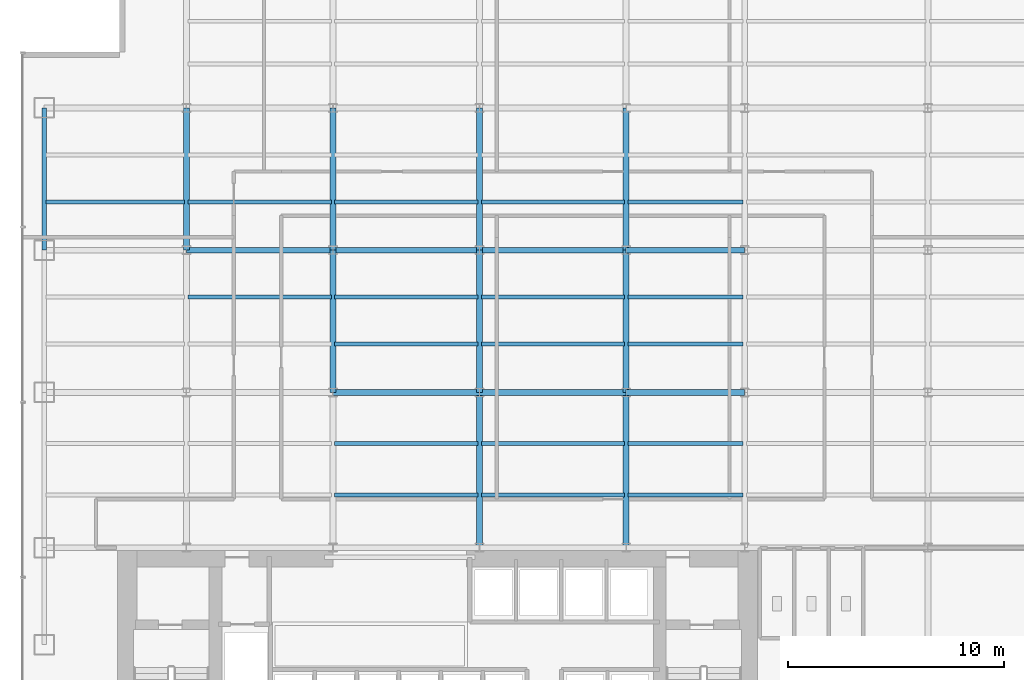
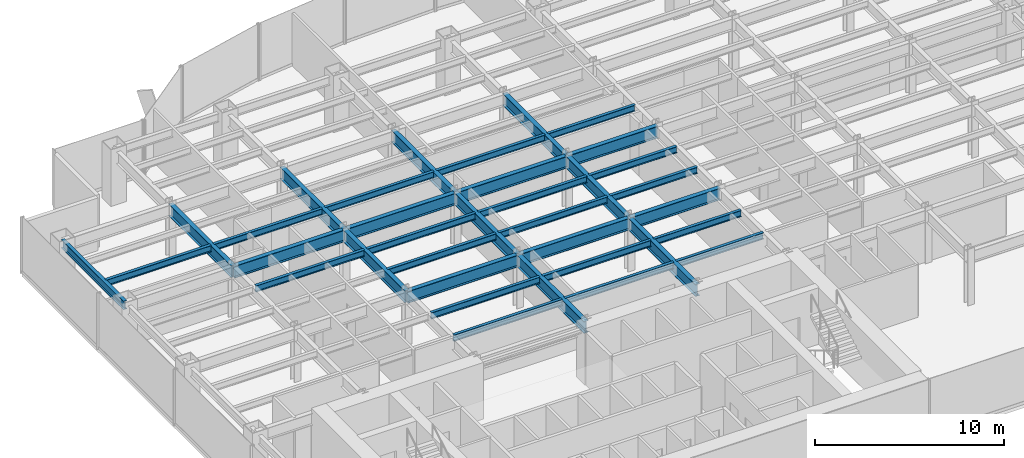
# One storey, part 5 of 23: 35 beams.
"""IFC4 building model written with IfcOpenShell, lengths in metres."""

from ifc_helpers import new_model, si_unit, derived_unit, direction, frame, origin, origin_2d, place, context, subcontext, project, spatial, i_section, extrude, source, transform, mapped, material, material_profile, profile_set, type_object, element, save


model = new_model("IFC4")

# Units and contexts
model_context = context("Model", 3, precision=1e-05, world=origin(), true_north=direction((0.0, 1.0)))
body_context = subcontext(model_context, "Body", "Model", "MODEL_VIEW")
ifc_project = project(units=[si_unit("LENGTHUNIT", "METRE"), si_unit("AREAUNIT", "SQUARE_METRE"), si_unit("VOLUMEUNIT", "CUBIC_METRE"), si_unit("PLANEANGLEUNIT", "RADIAN"), si_unit("MASSUNIT", "GRAM", prefix="KILO"), derived_unit("THERMALTRANSMITTANCEUNIT", [(si_unit("POWERUNIT", "WATT"), 1), (si_unit("LENGTHUNIT", "METRE"), -2), (si_unit("THERMODYNAMICTEMPERATUREUNIT", "KELVIN"), -1)])], contexts=[model_context])

# Site, building, storey
site_placement = place(None, origin())
site = spatial("IfcSite", under=ifc_project, at=site_placement, CompositionType="ELEMENT")
building_placement = place(site_placement, origin())
building = spatial("IfcBuilding", under=site, at=building_placement, Name="Skarnbrae Concourse Arena and Tower", CompositionType="ELEMENT")
storey_placement = place(building_placement, frame((0.0, 0.0, 54.39990234375)))
storey = spatial("IfcBuildingStorey", under=building, at=storey_placement, Name="L12", CompositionType="ELEMENT", Elevation=54.39990234375)

# Beams
ifc_material = material(Name="Steel CSA G40.21 350W", Category="steel")
ifc_material_profile_1 = material_profile(ifc_material, i_section(OverallWidth=0.26806640625, OverallDepth=0.77001953125, WebThickness=0.015625, FlangeThickness=0.025390625, at=origin_2d()), Name="W760X196")
ifc_profile_set_1 = profile_set([ifc_material_profile_1], Name="Steel CSA G40.21 350W")
beam_type_1 = type_object("IfcBeamType", Name="BM-GIRD-W760X196", PredefinedType="BEAM", material=ifc_profile_set_1)
shared_shape_1 = source(origin(), body_context, "Body", "SweptSolid", [
    extrude(i_section(OverallWidth=0.26806640625, OverallDepth=0.77001953125, WebThickness=0.015625, FlangeThickness=0.025390625, at=origin_2d()), origin(), (0.0, 0.0, 1.0), 6.60009765625),
])
for number, where, z_axis, x_axis, name in (
    (1, (14.39990234375, 21.199951171875, 3.01513671875), (0.0, 1.0, 0.0), (-1.0, 0.0, 0.0), "L12 Primary N-S girder X14.4-2"),
    (2, (21.199951171875, 21.199951171875, 3.01513671875), (0.0, 1.0, 0.0), (-1.0, 0.0, 0.0), "L12 Primary N-S girder X21.2-2"),
    (3, (28.0, 21.199951171875, 3.01513671875), (0.0, 1.0, 0.0), (-1.0, 0.0, 0.0), "L12 Primary N-S girder X28.0-2"),
):
    element("IfcBeam", number, at=place(storey_placement, frame(where, z_axis=z_axis, x_axis=x_axis)), inside=storey, type_object=beam_type_1, Name=name, PredefinedType="BEAM", context=body_context, shape_type="MappedRepresentation", body=[
        mapped(shared_shape_1, transform((0.0, 0.0, 0.0))),
    ])
shared_shape_2 = source(origin(), body_context, "Body", "SweptSolid", [
    extrude(i_section(OverallWidth=0.26806640625, OverallDepth=0.77001953125, WebThickness=0.015625, FlangeThickness=0.025390625, at=origin_2d()), origin(), (0.0, 0.0, 1.0), 6.7998046875),
])
beam_1_placement = place(storey_placement, frame((7.60009765625, 27.800048828125, 3.01513671875), z_axis=(1.0, 0.0, 0.0), x_axis=(0.0, 1.0, 0.0)))
element("IfcBeam", 4, at=beam_1_placement, inside=storey, type_object=beam_type_1, Name="L12 Primary E-W girder Y27.8-2", PredefinedType="BEAM", context=body_context, shape_type="MappedRepresentation", body=[
    mapped(shared_shape_2, transform((0.0, 0.0, 0.0))),
])
shared_shape_3 = source(origin(), body_context, "Body", "SweptSolid", [
    extrude(i_section(OverallWidth=0.26806640625, OverallDepth=0.77001953125, WebThickness=0.015625, FlangeThickness=0.025390625, at=origin_2d()), origin(), (0.0, 0.0, 1.0), 6.800048828125),
])
for number, where, z_axis, x_axis, name in (
    (5, (14.39990234375, 21.199951171875, 3.01513671875), (1.0, 0.0, 0.0), (0.0, 1.0, 0.0), "L12 Primary E-W girder Y21.2-3"),
    (6, (21.199951171875, 21.199951171875, 3.01513671875), (1.0, 0.0, 0.0), (0.0, 1.0, 0.0), "L12 Primary E-W girder Y21.2-4"),
    (7, (14.39990234375, 27.800048828125, 3.01513671875), (1.0, 0.0, 0.0), (0.0, 1.0, 0.0), "L12 Primary E-W girder Y27.8-3"),
    (8, (21.199951171875, 27.800048828125, 3.01513671875), (1.0, 0.0, 0.0), (0.0, 1.0, 0.0), "L12 Primary E-W girder Y27.8-4"),
):
    element("IfcBeam", number, at=place(storey_placement, frame(where, z_axis=z_axis, x_axis=x_axis)), inside=storey, type_object=beam_type_1, Name=name, PredefinedType="BEAM", context=body_context, shape_type="MappedRepresentation", body=[
        mapped(shared_shape_3, transform((0.0, 0.0, 0.0))),
    ])
shared_shape_4 = source(origin(), body_context, "Body", "SweptSolid", [
    extrude(i_section(OverallWidth=0.26806640625, OverallDepth=0.77001953125, WebThickness=0.015625, FlangeThickness=0.025390625, at=origin_2d()), origin(), (0.0, 0.0, 1.0), 5.5),
])
for number, where, z_axis, x_axis, name in (
    (9, (28.0, 21.199951171875, 3.01513671875), (1.0, 0.0, 0.0), (0.0, 1.0, 0.0), "L12 Primary E-W girder Y21.2-5"),
    (10, (28.0, 27.800048828125, 3.01513671875), (1.0, 0.0, 0.0), (0.0, 1.0, 0.0), "L12 Primary E-W girder Y27.8-5"),
):
    element("IfcBeam", number, at=place(storey_placement, frame(where, z_axis=z_axis, x_axis=x_axis)), inside=storey, type_object=beam_type_1, Name=name, PredefinedType="BEAM", context=body_context, shape_type="MappedRepresentation", body=[
        mapped(shared_shape_4, transform((0.0, 0.0, 0.0))),
    ])
ifc_material_profile_2 = material_profile(ifc_material, i_section(OverallWidth=0.214111328125, OverallDepth=0.549072265625, WebThickness=0.0146484375, FlangeThickness=0.023681640625, at=origin_2d()), Name="W530X138")
ifc_profile_set_2 = profile_set([ifc_material_profile_2], Name="Steel CSA G40.21 350W")
beam_type_2 = type_object("IfcBeamType", Name="BM-SPAN-W530X138", PredefinedType="SPANDREL", material=ifc_profile_set_2)
shared_shape_5 = source(origin(), body_context, "Body", "SweptSolid", [
    extrude(i_section(OverallWidth=0.214111328125, OverallDepth=0.549072265625, WebThickness=0.0146484375, FlangeThickness=0.023681640625, at=origin_2d()), origin(), (0.0, 0.0, 1.0), 6.599853515625),
])
beam_2_placement = place(storey_placement, frame((1.0, 27.800048828125, 3.12548828125), z_axis=(0.0, 1.0, 0.0), x_axis=(-1.0, 0.0, 0.0)))
element("IfcBeam", 11, at=beam_2_placement, inside=storey, type_object=beam_type_2, Name="L12 Perimeter spandrel X1.0-4", PredefinedType="SPANDREL", context=body_context, shape_type="MappedRepresentation", body=[
    mapped(shared_shape_5, transform((0.0, 0.0, 0.0))),
])
shared_shape_6 = source(origin(), body_context, "Body", "SweptSolid", [
    extrude(i_section(OverallWidth=0.26806640625, OverallDepth=0.77001953125, WebThickness=0.015625, FlangeThickness=0.025390625, at=origin_2d()), origin(), (0.0, 0.0, 1.0), 7.199951171875),
])
for number, where, z_axis, x_axis, name in (
    (12, (21.199951171875, 14.0, 3.01513671875), (0.0, 1.0, 0.0), (-1.0, 0.0, 0.0), "L12 Primary N-S girder X21.2-1"),
    (13, (28.0, 14.0, 3.01513671875), (0.0, 1.0, 0.0), (-1.0, 0.0, 0.0), "L12 Primary N-S girder X28.0-1"),
):
    element("IfcBeam", number, at=place(storey_placement, frame(where, z_axis=z_axis, x_axis=x_axis)), inside=storey, type_object=beam_type_1, Name=name, PredefinedType="BEAM", context=body_context, shape_type="MappedRepresentation", body=[
        mapped(shared_shape_6, transform((0.0, 0.0, 0.0))),
    ])
shared_shape_7 = source(origin(), body_context, "Body", "SweptSolid", [
    extrude(i_section(OverallWidth=0.26806640625, OverallDepth=0.77001953125, WebThickness=0.015625, FlangeThickness=0.025390625, at=origin_2d()), origin(), (0.0, 0.0, 1.0), 6.599853515625),
])
for number, where, z_axis, x_axis, name in (
    (14, (7.60009765625, 27.800048828125, 3.01513671875), (0.0, 1.0, 0.0), (-1.0, 0.0, 0.0), "L12 Primary N-S girder X7.6-3"),
    (15, (14.39990234375, 27.800048828125, 3.01513671875), (0.0, 1.0, 0.0), (-1.0, 0.0, 0.0), "L12 Primary N-S girder X14.4-3"),
    (16, (21.199951171875, 27.800048828125, 3.01513671875), (0.0, 1.0, 0.0), (-1.0, 0.0, 0.0), "L12 Primary N-S girder X21.2-3"),
    (17, (28.0, 27.800048828125, 3.01513671875), (0.0, 1.0, 0.0), (-1.0, 0.0, 0.0), "L12 Primary N-S girder X28.0-3"),
):
    element("IfcBeam", number, at=place(storey_placement, frame(where, z_axis=z_axis, x_axis=x_axis)), inside=storey, type_object=beam_type_1, Name=name, PredefinedType="BEAM", context=body_context, shape_type="MappedRepresentation", body=[
        mapped(shared_shape_7, transform((0.0, 0.0, 0.0))),
    ])
ifc_material_profile_3 = material_profile(ifc_material, i_section(OverallWidth=0.180908203125, OverallDepth=0.4169921875, WebThickness=0.010986328125, FlangeThickness=0.018310546875, at=origin_2d()), Name="W410X85")
ifc_profile_set_3 = profile_set([ifc_material_profile_3], Name="Steel CSA G40.21 350W")
beam_type_3 = type_object("IfcBeamType", Name="BM-JOIST-W410X85", PredefinedType="JOIST", material=ifc_profile_set_3)
shared_shape_8 = source(origin(), body_context, "Body", "SweptSolid", [
    extrude(i_section(OverallWidth=0.180908203125, OverallDepth=0.4169921875, WebThickness=0.010986328125, FlangeThickness=0.018310546875, at=origin_2d()), origin(), (0.0, 0.0, 1.0), 6.43994140625),
])
beam_3_placement = place(storey_placement, frame((1.080078125, 30.0439453125, 3.191650390625), z_axis=(1.0, 0.0, 0.0), x_axis=(0.0, 1.0, 0.0)))
element("IfcBeam", 18, at=beam_3_placement, inside=storey, type_object=beam_type_3, Name="L12 Secondary floor joist 3.1.1", PredefinedType="JOIST", context=body_context, shape_type="MappedRepresentation", body=[
    mapped(shared_shape_8, transform((0.0, 0.0, 0.0))),
])
shared_shape_9 = source(origin(), body_context, "Body", "SweptSolid", [
    extrude(i_section(OverallWidth=0.180908203125, OverallDepth=0.4169921875, WebThickness=0.010986328125, FlangeThickness=0.018310546875, at=origin_2d()), origin(), (0.0, 0.0, 1.0), 6.64013671875),
])
for number, where, z_axis, x_axis, name in (
    (19, (14.47998046875, 16.447998046875, 3.191650390625), (1.0, 0.0, 0.0), (0.0, 1.0, 0.0), "L12 Secondary floor joist 1.1.3"),
    (20, (14.47998046875, 18.823974609375, 3.191650390625), (1.0, 0.0, 0.0), (0.0, 1.0, 0.0), "L12 Secondary floor joist 1.2.3"),
    (21, (14.47998046875, 23.444091796875, 3.191650390625), (1.0, 0.0, 0.0), (0.0, 1.0, 0.0), "L12 Secondary floor joist 2.1.3"),
    (22, (7.679931640625, 25.6220703125, 3.191650390625), (1.0, 0.0, 0.0), (0.0, 1.0, 0.0), "L12 Secondary floor joist 2.2.2"),
    (23, (14.47998046875, 25.6220703125, 3.191650390625), (1.0, 0.0, 0.0), (0.0, 1.0, 0.0), "L12 Secondary floor joist 2.2.3"),
    (24, (7.679931640625, 30.0439453125, 3.191650390625), (1.0, 0.0, 0.0), (0.0, 1.0, 0.0), "L12 Secondary floor joist 3.1.2"),
    (25, (14.47998046875, 30.0439453125, 3.191650390625), (1.0, 0.0, 0.0), (0.0, 1.0, 0.0), "L12 Secondary floor joist 3.1.3"),
):
    element("IfcBeam", number, at=place(storey_placement, frame(where, z_axis=z_axis, x_axis=x_axis)), inside=storey, type_object=beam_type_3, Name=name, PredefinedType="JOIST", context=body_context, shape_type="MappedRepresentation", body=[
        mapped(shared_shape_9, transform((0.0, 0.0, 0.0))),
    ])
shared_shape_10 = source(origin(), body_context, "Body", "SweptSolid", [
    extrude(i_section(OverallWidth=0.180908203125, OverallDepth=0.4169921875, WebThickness=0.010986328125, FlangeThickness=0.018310546875, at=origin_2d()), origin(), (0.0, 0.0, 1.0), 6.639892578125),
])
for number, where, z_axis, x_axis, name in (
    (26, (21.280029296875, 16.447998046875, 3.191650390625), (1.0, 0.0, 0.0), (0.0, 1.0, 0.0), "L12 Secondary floor joist 1.1.4"),
    (27, (21.280029296875, 18.823974609375, 3.191650390625), (1.0, 0.0, 0.0), (0.0, 1.0, 0.0), "L12 Secondary floor joist 1.2.4"),
    (28, (21.280029296875, 23.444091796875, 3.191650390625), (1.0, 0.0, 0.0), (0.0, 1.0, 0.0), "L12 Secondary floor joist 2.1.4"),
    (29, (21.280029296875, 25.6220703125, 3.191650390625), (1.0, 0.0, 0.0), (0.0, 1.0, 0.0), "L12 Secondary floor joist 2.2.4"),
    (30, (21.280029296875, 30.0439453125, 3.191650390625), (1.0, 0.0, 0.0), (0.0, 1.0, 0.0), "L12 Secondary floor joist 3.1.4"),
):
    element("IfcBeam", number, at=place(storey_placement, frame(where, z_axis=z_axis, x_axis=x_axis)), inside=storey, type_object=beam_type_3, Name=name, PredefinedType="JOIST", context=body_context, shape_type="MappedRepresentation", body=[
        mapped(shared_shape_10, transform((0.0, 0.0, 0.0))),
    ])
shared_shape_11 = source(origin(), body_context, "Body", "SweptSolid", [
    extrude(i_section(OverallWidth=0.180908203125, OverallDepth=0.4169921875, WebThickness=0.010986328125, FlangeThickness=0.018310546875, at=origin_2d()), origin(), (0.0, 0.0, 1.0), 5.33984375),
])
for number, where, z_axis, x_axis, name in (
    (31, (28.080078125, 16.447998046875, 3.191650390625), (1.0, 0.0, 0.0), (0.0, 1.0, 0.0), "L12 Secondary floor joist 1.1.5"),
    (32, (28.080078125, 18.823974609375, 3.191650390625), (1.0, 0.0, 0.0), (0.0, 1.0, 0.0), "L12 Secondary floor joist 1.2.5"),
    (33, (28.080078125, 23.444091796875, 3.191650390625), (1.0, 0.0, 0.0), (0.0, 1.0, 0.0), "L12 Secondary floor joist 2.1.5"),
    (34, (28.080078125, 25.6220703125, 3.191650390625), (1.0, 0.0, 0.0), (0.0, 1.0, 0.0), "L12 Secondary floor joist 2.2.5"),
    (35, (28.080078125, 30.0439453125, 3.191650390625), (1.0, 0.0, 0.0), (0.0, 1.0, 0.0), "L12 Secondary floor joist 3.1.5"),
):
    element("IfcBeam", number, at=place(storey_placement, frame(where, z_axis=z_axis, x_axis=x_axis)), inside=storey, type_object=beam_type_3, Name=name, PredefinedType="JOIST", context=body_context, shape_type="MappedRepresentation", body=[
        mapped(shared_shape_11, transform((0.0, 0.0, 0.0))),
    ])

save(model, "model.ifc")
